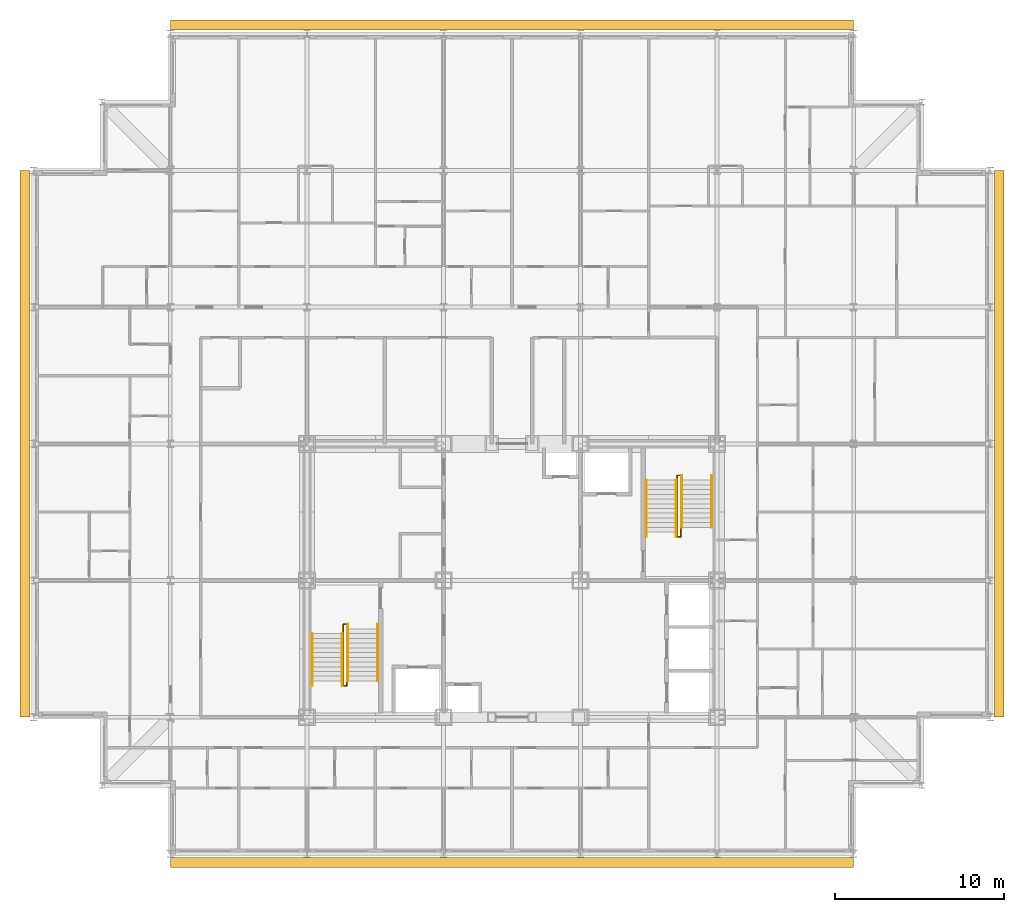
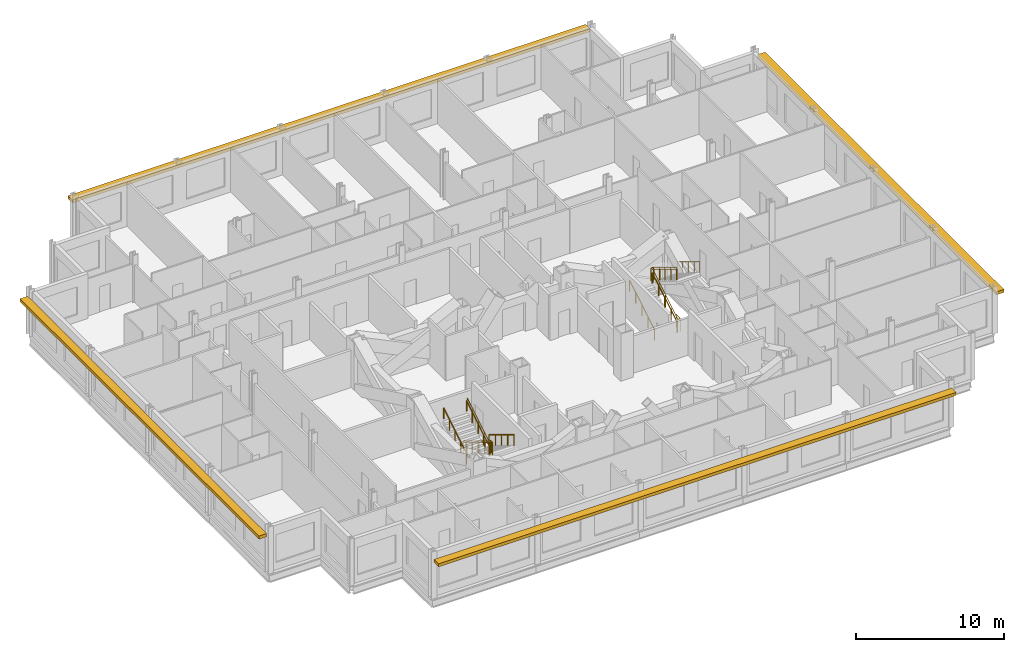
# One storey, part 16 of 16: 10 railings, 4 shading devices.
"""IFC4 building model written with IfcOpenShell, lengths in metres."""

from ifc_helpers import new_model, si_unit, direction, frame, origin, origin_2d, place, context, subcontext, project, spatial, rectangle, circle, extrude, material, type_object, element, save


model = new_model("IFC4")

# Units and contexts
model_context = context("Model", 3, precision=1e-05, world=origin(), true_north=direction((0.0, 1.0)))
body_context = subcontext(model_context, "Body", "Model", "MODEL_VIEW")
ifc_project = project(units=[si_unit("LENGTHUNIT", "METRE"), si_unit("AREAUNIT", "SQUARE_METRE"), si_unit("VOLUMEUNIT", "CUBIC_METRE"), si_unit("PLANEANGLEUNIT", "RADIAN"), si_unit("MASSUNIT", "GRAM", prefix="KILO")], contexts=[model_context])

# Site, building, storey
site_placement = place(None, origin())
site = spatial("IfcSite", under=ifc_project, at=site_placement, CompositionType="ELEMENT")
building_placement = place(site_placement, origin())
building = spatial("IfcBuilding", under=site, at=building_placement, Name="Kopane Lantern Tower", CompositionType="ELEMENT")
storey_placement = place(building_placement, frame((0.0, 0.0, 261.89990234375)))
storey = spatial("IfcBuildingStorey", under=building, at=storey_placement, Name="L67", CompositionType="ELEMENT", Elevation=261.89990234375)

# Railings
ifc_material_1 = material(Name="Steel", Category="steel")
railing_type_1 = type_object("IfcRailingType", Name="STAIR GUARD 1100", PredefinedType="GUARDRAIL", material=ifc_material_1)
railing_1_placement = place(storey_placement, frame((18.35009765625, 29.25, 0.0)))
element("IfcRailing", 1, at=railing_1_placement, inside=storey, type_object=railing_type_1, Name="ST1 well guard L67", PredefinedType="GUARDRAIL", context=body_context, shape_type="SweptSolid", body=[
    extrude(circle(Radius=0.02392578125, at=origin_2d()), frame((0.0, 0.0, 1.076171875), z_axis=(0.0, 1.0, 0.0), x_axis=(-1.0, 0.0, 0.0)), (0.0, 0.0, 1.0), 0.56005859375),
    extrude(circle(Radius=0.02392578125, at=origin_2d()), frame((0.0, 0.56005859375, 1.076171875), z_axis=(1.0, 0.0, 0.0), x_axis=(0.0, 1.0, 0.0)), (0.0, 0.0, 1.0), 0.199951171875),
    extrude(circle(Radius=0.02392578125, at=origin_2d()), frame((0.199951171875, 0.56005859375, 1.076171875), z_axis=(0.0, -0.855368916264, 0.518019321155), x_axis=(1.0, 0.0, 0.0)), (0.0, 0.0, 1.0), 3.92822265625),
    extrude(circle(Radius=0.02392578125, at=origin_2d()), frame((0.199951171875, -2.800048828125, 3.11083984375), z_axis=(0.0, -1.0, 0.0), x_axis=(1.0, 0.0, 0.0)), (0.0, 0.0, 1.0), 0.280029296875),
    extrude(circle(Radius=0.02392578125, at=origin_2d()), frame((0.199951171875, -3.080078125, 3.11083984375), z_axis=(-1.0, 0.0, 0.0), x_axis=(0.0, -1.0, 0.0)), (0.0, 0.0, 1.0), 0.199951171875),
    extrude(circle(Radius=0.02392578125, at=origin_2d()), frame((0.0, -3.080078125, 3.11083984375), z_axis=(0.0, 0.855379917629, 0.518001154937), x_axis=(-1.0, 0.0, 0.0)), (0.0, 0.0, 1.0), 3.600830078125),
    extrude(circle(Radius=0.02099609375, at=origin_2d()), origin(), (0.0, 0.0, 1.0), 1.052001953125),
    extrude(circle(Radius=0.02099609375, at=origin_2d()), frame((0.0, 0.56005859375, 0.0)), (0.0, 0.0, 1.0), 1.052001953125),
    extrude(circle(Radius=0.02099609375, at=origin_2d()), frame((0.199951171875, 0.56005859375, 0.0)), (0.0, 0.0, 1.0), 1.052001953125),
    extrude(circle(Radius=0.02099609375, at=origin_2d()), frame((0.199951171875, -0.280029296875, 0.5087890625)), (0.0, 0.0, 1.0), 1.052001953125),
    extrude(circle(Radius=0.02099609375, at=origin_2d()), frame((0.199951171875, -1.1201171875, 1.017578125)), (0.0, 0.0, 1.0), 1.052001953125),
    extrude(circle(Radius=0.02099609375, at=origin_2d()), frame((0.199951171875, -1.9599609375, 1.526123046875)), (0.0, 0.0, 1.0), 1.052001953125),
    extrude(circle(Radius=0.02099609375, at=origin_2d()), frame((0.199951171875, -2.800048828125, 2.034912109375)), (0.0, 0.0, 1.0), 1.052001953125),
    extrude(circle(Radius=0.02099609375, at=origin_2d()), frame((0.199951171875, -3.080078125, 2.034912109375)), (0.0, 0.0, 1.0), 1.052001953125),
    extrude(circle(Radius=0.02099609375, at=origin_2d()), frame((0.0, -3.080078125, 2.034912109375)), (0.0, 0.0, 1.0), 1.052001953125),
    extrude(circle(Radius=0.02099609375, at=origin_2d()), frame((0.0, -2.31005859375, 2.501220703125)), (0.0, 0.0, 1.0), 1.052001953125),
    extrude(circle(Radius=0.02099609375, at=origin_2d()), frame((0.0, -1.5400390625, 2.967529296875)), (0.0, 0.0, 1.0), 1.052001953125),
    extrude(circle(Radius=0.02099609375, at=origin_2d()), frame((0.0, -0.77001953125, 3.433837890625)), (0.0, 0.0, 1.0), 1.052001953125),
    extrude(circle(Radius=0.02099609375, at=origin_2d()), frame((0.0, 0.0, 3.900146484375)), (0.0, 0.0, 1.0), 1.052001953125),
])
railing_2_placement = place(storey_placement, frame((38.35009765625, 35.550048828125, 0.0)))
element("IfcRailing", 2, at=railing_2_placement, inside=storey, type_object=railing_type_1, Name="ST2 well guard L67", PredefinedType="GUARDRAIL", context=body_context, shape_type="SweptSolid", body=[
    extrude(circle(Radius=0.02392578125, at=origin_2d()), frame((0.0, 0.0, 1.076171875), z_axis=(0.0, -1.0, 0.0), x_axis=(1.0, 0.0, 0.0)), (0.0, 0.0, 1.0), 0.56005859375),
    extrude(circle(Radius=0.02392578125, at=origin_2d()), frame((0.0, -0.56005859375, 1.076171875), z_axis=(-1.0, 0.0, 0.0), x_axis=(0.0, -1.0, 0.0)), (0.0, 0.0, 1.0), 0.2001953125),
    extrude(circle(Radius=0.02392578125, at=origin_2d()), frame((-0.2001953125, -0.56005859375, 1.076171875), z_axis=(0.0, 0.855368916264, 0.518019321155), x_axis=(-1.0, 0.0, 0.0)), (0.0, 0.0, 1.0), 3.92822265625),
    extrude(circle(Radius=0.02392578125, at=origin_2d()), frame((-0.2001953125, 2.800048828125, 3.11083984375), z_axis=(0.0, 1.0, 0.0), x_axis=(-1.0, 0.0, 0.0)), (0.0, 0.0, 1.0), 0.27978515625),
    extrude(circle(Radius=0.02392578125, at=origin_2d()), frame((-0.2001953125, 3.079833984375, 3.11083984375), z_axis=(1.0, 0.0, 0.0), x_axis=(0.0, 1.0, 0.0)), (0.0, 0.0, 1.0), 0.2001953125),
    extrude(circle(Radius=0.02392578125, at=origin_2d()), frame((0.0, 3.079833984375, 3.11083984375), z_axis=(0.0, -0.855361723277, 0.518031198243), x_axis=(1.0, 0.0, 0.0)), (0.0, 0.0, 1.0), 3.6005859375),
    extrude(circle(Radius=0.02099609375, at=origin_2d()), origin(), (0.0, 0.0, 1.0), 1.052001953125),
    extrude(circle(Radius=0.02099609375, at=origin_2d()), frame((0.0, -0.56005859375, 0.0)), (0.0, 0.0, 1.0), 1.052001953125),
    extrude(circle(Radius=0.02099609375, at=origin_2d()), frame((-0.2001953125, -0.56005859375, 0.0)), (0.0, 0.0, 1.0), 1.052001953125),
    extrude(circle(Radius=0.02099609375, at=origin_2d()), frame((-0.2001953125, 0.280029296875, 0.5087890625)), (0.0, 0.0, 1.0), 1.052001953125),
    extrude(circle(Radius=0.02099609375, at=origin_2d()), frame((-0.2001953125, 1.1201171875, 1.017578125)), (0.0, 0.0, 1.0), 1.052001953125),
    extrude(circle(Radius=0.02099609375, at=origin_2d()), frame((-0.2001953125, 1.9599609375, 1.526123046875)), (0.0, 0.0, 1.0), 1.052001953125),
    extrude(circle(Radius=0.02099609375, at=origin_2d()), frame((-0.2001953125, 2.800048828125, 2.034912109375)), (0.0, 0.0, 1.0), 1.052001953125),
    extrude(circle(Radius=0.02099609375, at=origin_2d()), frame((-0.2001953125, 3.079833984375, 2.034912109375)), (0.0, 0.0, 1.0), 1.052001953125),
    extrude(circle(Radius=0.02099609375, at=origin_2d()), frame((0.0, 3.079833984375, 2.034912109375)), (0.0, 0.0, 1.0), 1.052001953125),
    extrude(circle(Radius=0.02099609375, at=origin_2d()), frame((0.0, 2.309814453125, 2.501220703125)), (0.0, 0.0, 1.0), 1.052001953125),
    extrude(circle(Radius=0.02099609375, at=origin_2d()), frame((0.0, 1.5400390625, 2.967529296875)), (0.0, 0.0, 1.0), 1.052001953125),
    extrude(circle(Radius=0.02099609375, at=origin_2d()), frame((0.0, 0.77001953125, 3.433837890625)), (0.0, 0.0, 1.0), 1.052001953125),
    extrude(circle(Radius=0.02099609375, at=origin_2d()), frame((0.0, 0.0, 3.900146484375)), (0.0, 0.0, 1.0), 1.052001953125),
])
ifc_material_2 = material(Name="Steel", Category="steel")
railing_type_2 = type_object("IfcRailingType", Name="STAIR HANDRAIL 900", PredefinedType="HANDRAIL", material=ifc_material_2)
for number, where, name in (
    (3, (20.389892578125, 29.81005859375, 0.0), "ST1 handrail L67 flight 1"),
    (4, (18.610107421875, 29.81005859375, 0.0), "ST1 handrail L67 flight 1"),
):
    element("IfcRailing", number, at=place(storey_placement, frame(where)), inside=storey, type_object=railing_type_2, Name=name, PredefinedType="HANDRAIL", context=body_context, shape_type="SweptSolid", body=[
        extrude(circle(Radius=0.02392578125, at=origin_2d()), frame((0.0, 0.0, 0.8759765625), z_axis=(0.0, -0.855368916264, 0.518019321155), x_axis=(1.0, 0.0, 0.0)), (0.0, 0.0, 1.0), 3.92822265625),
        extrude(circle(Radius=0.02099609375, at=origin_2d()), origin(), (0.0, 0.0, 1.0), 0.851806640625),
        extrude(circle(Radius=0.02099609375, at=origin_2d()), frame((0.0, -0.840087890625, 0.5087890625)), (0.0, 0.0, 1.0), 0.851806640625),
        extrude(circle(Radius=0.02099609375, at=origin_2d()), frame((0.0, -1.68017578125, 1.017578125)), (0.0, 0.0, 1.0), 0.851806640625),
        extrude(circle(Radius=0.02099609375, at=origin_2d()), frame((0.0, -2.52001953125, 1.526123046875)), (0.0, 0.0, 1.0), 0.851806640625),
        extrude(circle(Radius=0.02099609375, at=origin_2d()), frame((0.0, -3.360107421875, 2.034912109375)), (0.0, 0.0, 1.0), 0.851806640625),
    ])
for number, where, name in (
    (5, (16.510009765625, 26.169921875, 2.034912109375), "ST1 handrail L67 flight 2"),
    (6, (18.2900390625, 26.169921875, 2.034912109375), "ST1 handrail L67 flight 2"),
):
    element("IfcRailing", number, at=place(storey_placement, frame(where)), inside=storey, type_object=railing_type_2, Name=name, PredefinedType="HANDRAIL", context=body_context, shape_type="SweptSolid", body=[
        extrude(circle(Radius=0.02392578125, at=origin_2d()), frame((0.0, 0.0, 0.8759765625), z_axis=(0.0, 0.855379917629, 0.518001154937), x_axis=(-1.0, 0.0, 0.0)), (0.0, 0.0, 1.0), 3.600830078125),
        extrude(circle(Radius=0.02099609375, at=origin_2d()), origin(), (0.0, 0.0, 1.0), 0.851806640625),
        extrude(circle(Radius=0.02099609375, at=origin_2d()), frame((0.0, 0.77001953125, 0.46630859375)), (0.0, 0.0, 1.0), 0.851806640625),
        extrude(circle(Radius=0.02099609375, at=origin_2d()), frame((0.0, 1.5400390625, 0.9326171875)), (0.0, 0.0, 1.0), 0.851806640625),
        extrude(circle(Radius=0.02099609375, at=origin_2d()), frame((0.0, 2.31005859375, 1.39892578125)), (0.0, 0.0, 1.0), 0.851806640625),
        extrude(circle(Radius=0.02099609375, at=origin_2d()), frame((0.0, 3.080078125, 1.865234375)), (0.0, 0.0, 1.0), 0.851806640625),
    ])
for number, where, name in (
    (7, (36.31005859375, 34.989990234375, 0.0), "ST2 handrail L67 flight 1"),
    (8, (38.090087890625, 34.989990234375, 0.0), "ST2 handrail L67 flight 1"),
):
    element("IfcRailing", number, at=place(storey_placement, frame(where)), inside=storey, type_object=railing_type_2, Name=name, PredefinedType="HANDRAIL", context=body_context, shape_type="SweptSolid", body=[
        extrude(circle(Radius=0.02392578125, at=origin_2d()), frame((0.0, 0.0, 0.8759765625), z_axis=(0.0, 0.855368916264, 0.518019321155), x_axis=(-1.0, 0.0, 0.0)), (0.0, 0.0, 1.0), 3.92822265625),
        extrude(circle(Radius=0.02099609375, at=origin_2d()), origin(), (0.0, 0.0, 1.0), 0.851806640625),
        extrude(circle(Radius=0.02099609375, at=origin_2d()), frame((0.0, 0.840087890625, 0.5087890625)), (0.0, 0.0, 1.0), 0.851806640625),
        extrude(circle(Radius=0.02099609375, at=origin_2d()), frame((0.0, 1.68017578125, 1.017578125)), (0.0, 0.0, 1.0), 0.851806640625),
        extrude(circle(Radius=0.02099609375, at=origin_2d()), frame((0.0, 2.52001953125, 1.526123046875)), (0.0, 0.0, 1.0), 0.851806640625),
        extrude(circle(Radius=0.02099609375, at=origin_2d()), frame((0.0, 3.360107421875, 2.034912109375)), (0.0, 0.0, 1.0), 0.851806640625),
    ])
for number, where, name in (
    (9, (40.18994140625, 38.6298828125, 2.034912109375), "ST2 handrail L67 flight 2"),
    (10, (38.409912109375, 38.6298828125, 2.034912109375), "ST2 handrail L67 flight 2"),
):
    element("IfcRailing", number, at=place(storey_placement, frame(where)), inside=storey, type_object=railing_type_2, Name=name, PredefinedType="HANDRAIL", context=body_context, shape_type="SweptSolid", body=[
        extrude(circle(Radius=0.02392578125, at=origin_2d()), frame((0.0, 0.0, 0.8759765625), z_axis=(0.0, -0.855361723277, 0.518031198243), x_axis=(1.0, 0.0, 0.0)), (0.0, 0.0, 1.0), 3.6005859375),
        extrude(circle(Radius=0.02099609375, at=origin_2d()), origin(), (0.0, 0.0, 1.0), 0.851806640625),
        extrude(circle(Radius=0.02099609375, at=origin_2d()), frame((0.0, -0.77001953125, 0.46630859375)), (0.0, 0.0, 1.0), 0.851806640625),
        extrude(circle(Radius=0.02099609375, at=origin_2d()), frame((0.0, -1.5400390625, 0.9326171875)), (0.0, 0.0, 1.0), 0.851806640625),
        extrude(circle(Radius=0.02099609375, at=origin_2d()), frame((0.0, -2.309814453125, 1.39892578125)), (0.0, 0.0, 1.0), 0.851806640625),
        extrude(circle(Radius=0.02099609375, at=origin_2d()), frame((0.0, -3.079833984375, 1.865234375)), (0.0, 0.0, 1.0), 0.851806640625),
    ])

# Shading devices
ifc_material_3 = material(Name="Terracotta rainscreen on light steel framing", Category="masonry")
shading_device_type = type_object("IfcShadingDeviceType", Name="SUNSHADE BAND SB1 600 TERRACOTTA", PredefinedType="USERDEFINED", material=ifc_material_3)
shading_device_1_placement = place(storey_placement, frame((28.35009765625, 15.681640625, 3.0), z_axis=(0.0, 0.0, 1.0), x_axis=(1.0, 0.0, 0.0)))
element("IfcShadingDevice", 11, at=shading_device_1_placement, inside=storey, type_object=shading_device_type, Name="Sunshade band S L67", ObjectType="SUNSHADE BAND", PredefinedType="USERDEFINED", context=body_context, shape_type="SweptSolid", body=[
    extrude(rectangle(XDim=40.5, YDim=0.60009765625, at=origin_2d()), origin(), (0.0, 0.0, 1.0), 0.25),
])
shading_device_2_placement = place(storey_placement, frame((57.2060546875, 40.5, 3.0), z_axis=(0.0, 0.0, 1.0), x_axis=(0.0, 1.0, 0.0)))
element("IfcShadingDevice", 12, at=shading_device_2_placement, inside=storey, type_object=shading_device_type, Name="Sunshade band E L67", ObjectType="SUNSHADE BAND", PredefinedType="USERDEFINED", context=body_context, shape_type="SweptSolid", body=[
    extrude(rectangle(XDim=32.39990234375, YDim=0.60009765625, at=origin_2d()), origin(), (0.0, 0.0, 1.0), 0.25),
])
shading_device_3_placement = place(storey_placement, frame((28.35009765625, 65.318359375, 3.0), z_axis=(0.0, 0.0, 1.0), x_axis=(-1.0, 0.0, 0.0)))
element("IfcShadingDevice", 13, at=shading_device_3_placement, inside=storey, type_object=shading_device_type, Name="Sunshade band N L67", ObjectType="SUNSHADE BAND", PredefinedType="USERDEFINED", context=body_context, shape_type="SweptSolid", body=[
    extrude(rectangle(XDim=40.5, YDim=0.60009765625, at=origin_2d()), origin(), (0.0, 0.0, 1.0), 0.25),
])
shading_device_4_placement = place(storey_placement, frame((-0.506103515625, 40.5, 3.0), z_axis=(0.0, 0.0, 1.0), x_axis=(0.0, -1.0, 0.0)))
element("IfcShadingDevice", 14, at=shading_device_4_placement, inside=storey, type_object=shading_device_type, Name="Sunshade band W L67", ObjectType="SUNSHADE BAND", PredefinedType="USERDEFINED", context=body_context, shape_type="SweptSolid", body=[
    extrude(rectangle(XDim=32.39990234375, YDim=0.60009765625, at=origin_2d()), origin(), (0.0, 0.0, 1.0), 0.25),
])

save(model, "model.ifc")
